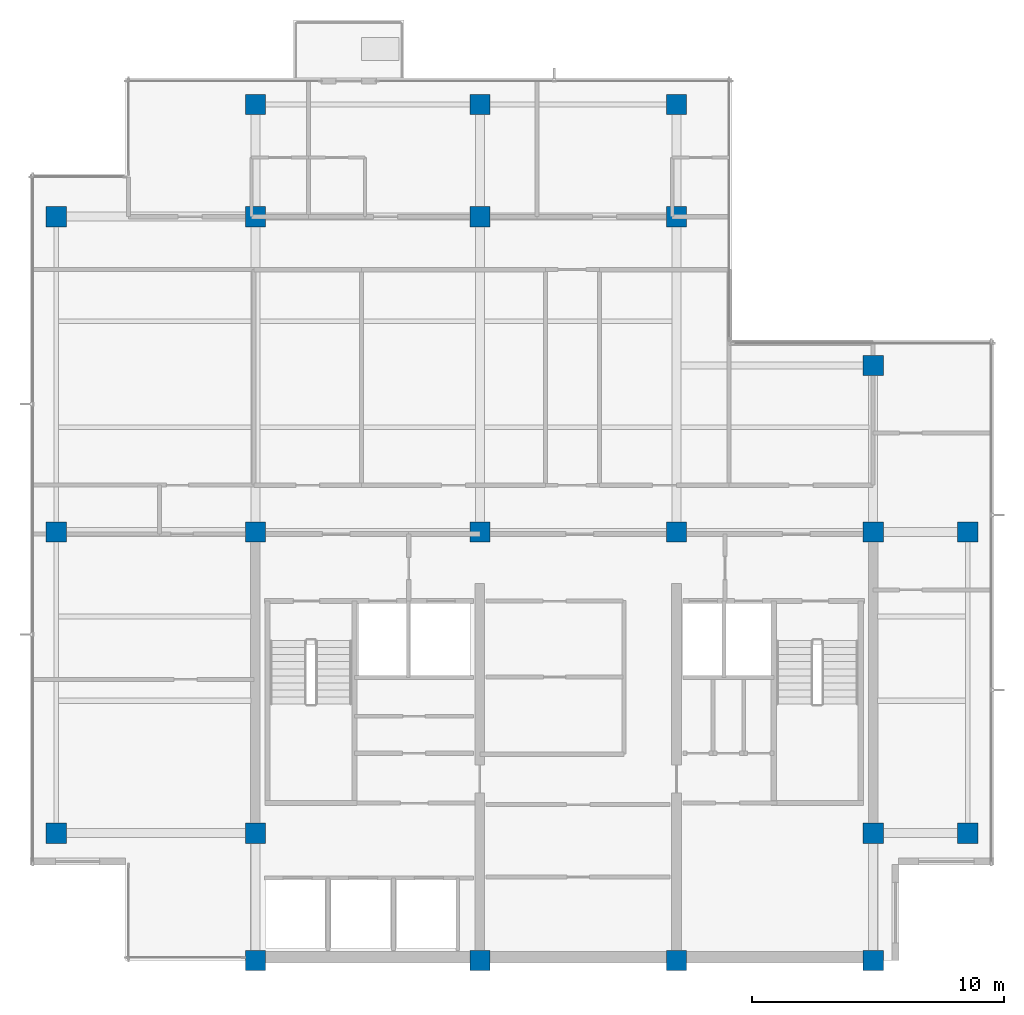
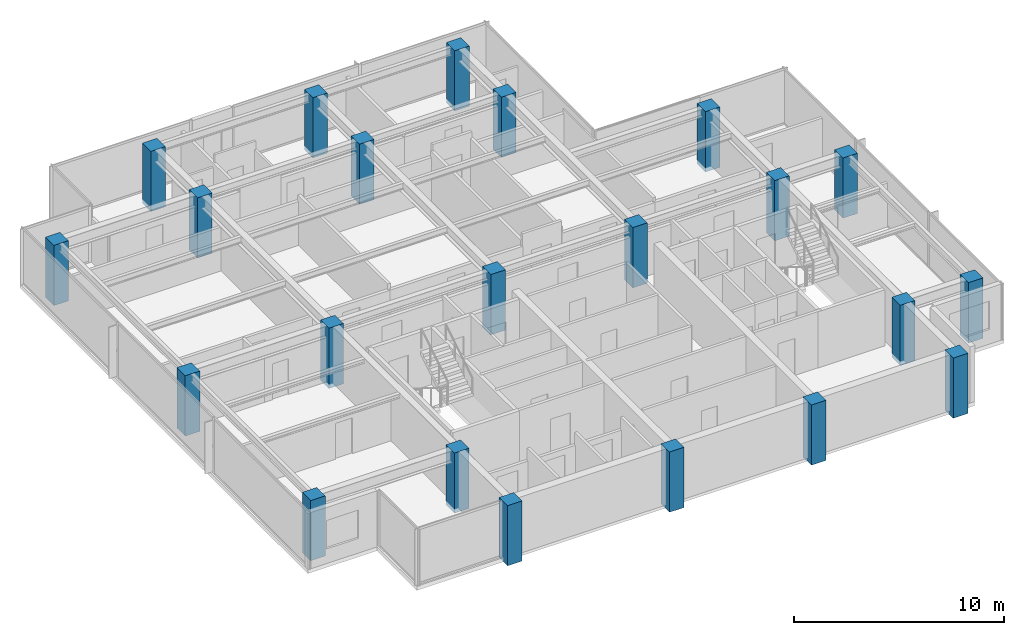
# One storey, part 1 of 11: 22 columns.
"""IFC4 building model written with IfcOpenShell, lengths in metres."""

import ifcopenshell
import ifcopenshell.guid

model = None  # the IFC model being written
_history = None  # IfcOwnerHistory: only IFC2X3 demands one
_inside = {}  # id of a spatial element -> (the spatial element, [elements in it])
_under = {}  # id of a project, library or spatial element -> (it, [spatial elements below it])
_declared = {}  # id of a project -> (the project, [libraries it declares])
_typed = {}  # id of a type object -> (the type object, [elements of that type])
_made_of = {}  # id of a material, layer set ... -> (it, [elements and type objects made of it])


def new_model(schema):
    """Start an empty IFC model of exactly this schema.

    Asked for "IFC4X3", IfcOpenShell would pick the latest addendum, in which some entities
    have other attributes; the version numbers below select the first issue.
    IFC2X3 requires an IfcOwnerHistory on every rooted entity: one is made here for all.
    """
    global model, _history
    if schema == "IFC4X3":
        model = ifcopenshell.file(schema_version=(4, 3, 0, 0))
    else:
        model = ifcopenshell.file(schema=schema)
    _inside.clear()
    _under.clear()
    _declared.clear()
    _typed.clear()
    _made_of.clear()
    _history = None
    if model.schema == "IFC2X3":
        org = make("IfcOrganization", Name="unknown")
        user = make(
            "IfcPersonAndOrganization",
            ThePerson=make("IfcPerson", FamilyName="unknown"),
            TheOrganization=org,
        )
        app = make(
            "IfcApplication",
            ApplicationDeveloper=org,
            Version="unknown",
            ApplicationFullName="unknown",
            ApplicationIdentifier="unknown",
        )
        _history = make(
            "IfcOwnerHistory",
            OwningUser=user,
            OwningApplication=app,
            ChangeAction="ADDED",
            CreationDate=0,
        )
    return model


def make(cls, **values):
    """One entity of the class cls with the attributes given. An attribute that is None is left unset."""
    return model.create_entity(
        cls, **{name: value for name, value in values.items() if value is not None}
    )


def rooted(cls, **values):
    """An entity with a GlobalId (a new one), such as an element, a storey or a relation."""
    return make(cls, GlobalId=ifcopenshell.guid.new(), OwnerHistory=_history, **values)


def si_unit(unit_type, name, prefix=None):
    """IfcSIUnit, for example si_unit("LENGTHUNIT", "METRE", prefix="MILLI")."""
    return make("IfcSIUnit", UnitType=unit_type, Prefix=prefix, Name=name)


def assignment(units):
    """IfcUnitAssignment: the units of a project."""
    return None if units is None else make("IfcUnitAssignment", Units=units)


def point(xyz):
    """IfcCartesianPoint."""
    return None if xyz is None else make("IfcCartesianPoint", Coordinates=xyz)


def direction(xyz):
    """IfcDirection."""
    return None if xyz is None else make("IfcDirection", DirectionRatios=xyz)


def frame(location, z_axis=None, x_axis=None):
    """IfcAxis2Placement3D, a coordinate frame: its origin and axes. An axis left out is left unset."""
    return make(
        "IfcAxis2Placement3D",
        Location=point(location),
        Axis=direction(z_axis),
        RefDirection=direction(x_axis),
    )


def frame_2d(location, x_axis=None):
    """IfcAxis2Placement2D, a coordinate frame in the plane: its origin and x axis."""
    return make(
        "IfcAxis2Placement2D", Location=point(location), RefDirection=direction(x_axis)
    )


def origin():
    """The frame at (0, 0, 0) with its axes left unset."""
    return frame((0.0, 0.0, 0.0))


def origin_2d():
    """The frame at (0, 0) in the plane with its x axis left unset."""
    return frame_2d((0.0, 0.0))


def place(relative_to, where):
    """IfcLocalPlacement: puts the frame where relative to a parent placement (None: the world)."""
    return make(
        "IfcLocalPlacement", PlacementRelTo=relative_to, RelativePlacement=where
    )


def context(
    kind, dimensions, precision=None, world=None, true_north=None, identifier=None
):
    """IfcGeometricRepresentationContext, for example the 3D "Model" context."""
    return make(
        "IfcGeometricRepresentationContext",
        ContextIdentifier=identifier,
        ContextType=kind,
        CoordinateSpaceDimension=dimensions,
        Precision=precision,
        WorldCoordinateSystem=world,
        TrueNorth=true_north,
    )


def subcontext(parent, identifier, kind, view, scale=None):
    """IfcGeometricRepresentationSubContext, for example "Body" below "Model"."""
    return make(
        "IfcGeometricRepresentationSubContext",
        ContextIdentifier=identifier,
        ContextType=kind,
        ParentContext=parent,
        TargetScale=scale,
        TargetView=view,
    )


def project(units=None, contexts=None):
    """IfcProject with its units and contexts."""
    return rooted(
        "IfcProject",
        Name="project",
        RepresentationContexts=contexts,
        UnitsInContext=assignment(units),
    )


def spatial(cls, under=None, at=None, **own):
    """A site, building, storey or space (cls), placed at a placement, below another one or the project."""
    s = rooted(cls, ObjectPlacement=at, **own)
    if under is not None:
        _under.setdefault(under.id(), (under, []))[1].append(s)
    return s


def profile(cls, at=None, kind="AREA", **sizes):
    """A parametric profile (cls). Its sizes go by their IFC names, for example OverallWidth=200.0."""
    return make(cls, ProfileType=kind, Position=at, **sizes)


def rectangle(**sizes):
    """IfcRectangleProfileDef."""
    return profile("IfcRectangleProfileDef", **sizes)


def extrude(swept, where, along, depth):
    """IfcExtrudedAreaSolid: the profile swept, set in the frame where, extruded along a direction by depth."""
    return make(
        "IfcExtrudedAreaSolid",
        SweptArea=swept,
        Position=where,
        ExtrudedDirection=direction(along),
        Depth=depth,
    )


def shape(context_of_items, identifier, shape_type, items):
    """IfcShapeRepresentation: the items that make up one representation, for example the "Body"."""
    return make(
        "IfcShapeRepresentation",
        ContextOfItems=context_of_items,
        RepresentationIdentifier=identifier,
        RepresentationType=shape_type,
        Items=items,
    )


def material(Name=None, Category=None):
    """IfcMaterial."""
    return make("IfcMaterial", Name=Name, Category=Category)


def material_profile(
    of_material, cross_section, Name=None, Category=None, Priority=None
):
    """IfcMaterialProfile: a cross section and its material."""
    return make(
        "IfcMaterialProfile",
        Name=Name,
        Material=of_material,
        Profile=cross_section,
        Priority=Priority,
        Category=Category,
    )


def profile_set(profiles, Name=None, composite=None):
    """IfcMaterialProfileSet."""
    return make(
        "IfcMaterialProfileSet",
        Name=Name,
        MaterialProfiles=profiles,
        CompositeProfile=composite,
    )


def made_of(thing, what):
    """Note that an element or type object is made of a material, layer set ...; save() writes the relation."""
    if what is not None:
        _made_of.setdefault(what.id(), (what, []))[1].append(thing)
    return thing


def type_object(cls, material=None, **own):
    """A type object (cls), such as IfcWallType, which elements share."""
    return made_of(rooted(cls, **own), material)


def element(
    cls,
    number,
    at=None,
    inside=None,
    cuts=None,
    type_object=None,
    material=None,
    context=None,
    identifier="Body",
    shape_type=None,
    held_by="IfcProductDefinitionShape",
    body=None,
    shapes=None,
    **own,
):
    """One element of the class cls, such as IfcWall. Its Tag is "e" and its number.

    at: its placement. inside: the storey or other place that contains it. cuts: it is an
    opening in that element (IfcRelVoidsElement). A single representation is given by context,
    identifier, shape_type and body (its items); several are given by shapes. held_by: the class
    of the entity that holds the representations. save() writes the other relations.
    """
    e = rooted(cls, Tag="e%d" % number, ObjectPlacement=at, **own)
    if body is not None:
        shapes = [shape(context, identifier, shape_type, body)]
    if shapes is not None:
        e.Representation = make(held_by, Representations=shapes)
    if inside is not None:
        _inside.setdefault(inside.id(), (inside, []))[1].append(e)
    if cuts is not None:
        rooted(
            "IfcRelVoidsElement", RelatingBuildingElement=cuts, RelatedOpeningElement=e
        )
    if type_object is not None:
        _typed.setdefault(type_object.id(), (type_object, []))[1].append(e)
    return made_of(e, material)


def aggregate(whole, parts):
    """IfcRelAggregates: a whole, such as a stair, and the parts it consists of."""
    return rooted("IfcRelAggregates", RelatingObject=whole, RelatedObjects=parts)


def save(model, path):
    """Write the relations noted so far, then the file.

    IfcRelAggregates (storeys below a building ...), IfcRelContainedInSpatialStructure (elements
    in a storey), IfcRelDefinesByType, IfcRelAssociatesMaterial and IfcRelDeclares: one each for
    every whole, place, type object, material and project.
    """
    for whole, parts in _under.values():
        aggregate(whole, parts)
    for where, things in _inside.values():
        rooted(
            "IfcRelContainedInSpatialStructure",
            RelatedElements=things,
            RelatingStructure=where,
        )
    for kind, things in _typed.values():
        rooted("IfcRelDefinesByType", RelatedObjects=things, RelatingType=kind)
    for what, things in _made_of.values():
        rooted("IfcRelAssociatesMaterial", RelatedObjects=things, RelatingMaterial=what)
    for by, libraries in _declared.values():
        rooted("IfcRelDeclares", RelatingContext=by, RelatedDefinitions=libraries)
    model.write(path)


model = new_model("IFC4")

# Units and contexts
model_context = context("Model", 3, precision=1e-05, world=origin(), true_north=direction((0.0, 1.0)))
body_context = subcontext(model_context, "Body", "Model", "MODEL_VIEW")
ifc_project = project(units=[si_unit("LENGTHUNIT", "METRE"), si_unit("AREAUNIT", "SQUARE_METRE"), si_unit("VOLUMEUNIT", "CUBIC_METRE"), si_unit("PLANEANGLEUNIT", "RADIAN"), si_unit("MASSUNIT", "GRAM", prefix="KILO")], contexts=[model_context])

# Site, building, storey
site_placement = place(None, origin())
site = spatial("IfcSite", under=ifc_project, at=site_placement, CompositionType="ELEMENT")
building_placement = place(site_placement, origin())
building = spatial("IfcBuilding", under=site, at=building_placement, Name="Qalmaran Belvedere Hotel", CompositionType="ELEMENT")
storey_placement = place(building_placement, frame((0.0, 0.0, 249.39990234375)))
storey = spatial("IfcBuildingStorey", under=building, at=storey_placement, Name="L64", CompositionType="ELEMENT", Elevation=249.39990234375)

# Columns
ifc_material = material(Name="Concrete C50/60", Category="concrete")
ifc_material_profile = material_profile(ifc_material, rectangle(XDim=0.800048828125, YDim=0.800048828125, at=origin_2d()), Name="CC800X800")
ifc_profile_set = profile_set([ifc_material_profile], Name="Concrete C50/60")
column_type = type_object("IfcColumnType", Name="COL-Z5-CC800", PredefinedType="COLUMN", material=ifc_profile_set)
for number, where, z_axis, x_axis, name in (
    (1, (20.300048828125, 3.5, -0.239990234375), (0.0, 0.0, 1.0), (1.0, 0.0, 0.0), "L64 Column C4B"),
    (2, (29.199951171875, 3.5, -0.239990234375), (0.0, 0.0, 1.0), (1.0, 0.0, 0.0), "L64 Column C5B"),
    (3, (37.0, 3.5, -0.239990234375), (0.0, 0.0, 1.0), (1.0, 0.0, 0.0), "L64 Column C6B"),
    (4, (44.800048828125, 3.5, -0.239990234375), (0.0, 0.0, 1.0), (1.0, 0.0, 0.0), "L64 Column C7B"),
    (5, (20.300048828125, 8.550048828125, -0.239990234375), (0.0, 0.0, 1.0), (1.0, 0.0, 0.0), "L64 Column C4C"),
    (6, (44.800048828125, 8.550048828125, -0.239990234375), (0.0, 0.0, 1.0), (1.0, 0.0, 0.0), "L64 Column C7C"),
    (7, (20.300048828125, 20.5, -0.239990234375), (0.0, 0.0, 1.0), (1.0, 0.0, 0.0), "L64 Column C4D"),
    (8, (29.199951171875, 20.5, -0.239990234375), (0.0, 0.0, 1.0), (1.0, 0.0, 0.0), "L64 Column C5D"),
    (9, (37.0, 20.5, -0.239990234375), (0.0, 0.0, 1.0), (1.0, 0.0, 0.0), "L64 Column C6D"),
    (10, (44.800048828125, 20.5, -0.239990234375), (0.0, 0.0, 1.0), (1.0, 0.0, 0.0), "L64 Column C7D"),
    (11, (20.300048828125, 33.0, -0.239990234375), (0.0, 0.0, 1.0), (1.0, 0.0, 0.0), "L64 Column C4F"),
    (12, (29.199951171875, 33.0, -0.239990234375), (0.0, 0.0, 1.0), (1.0, 0.0, 0.0), "L64 Column C5F"),
    (13, (37.0, 33.0, -0.239990234375), (0.0, 0.0, 1.0), (1.0, 0.0, 0.0), "L64 Column C6F"),
    (14, (44.800048828125, 27.10009765625, -0.239990234375), (0.0, 0.0, 1.0), (1.0, 0.0, 0.0), "L64 Column C7E"),
    (15, (12.39990234375, 8.550048828125, -0.239990234375), (0.0, 0.0, 1.0), (1.0, 0.0, 0.0), "L64 Column CW1"),
    (16, (12.39990234375, 20.5, -0.239990234375), (0.0, 0.0, 1.0), (1.0, 0.0, 0.0), "L64 Column CW3"),
    (17, (12.39990234375, 33.0, -0.239990234375), (0.0, 0.0, 1.0), (1.0, 0.0, 0.0), "L64 Column CW4"),
    (18, (48.550048828125, 8.550048828125, -0.239990234375), (0.0, 0.0, 1.0), (1.0, 0.0, 0.0), "L64 Column CE1"),
    (19, (48.550048828125, 20.5, -0.239990234375), (0.0, 0.0, 1.0), (1.0, 0.0, 0.0), "L64 Column CE3"),
    (20, (20.300048828125, 37.449951171875, -0.239990234375), (0.0, 0.0, 1.0), (1.0, 0.0, 0.0), "L64 Column CN1"),
    (21, (29.199951171875, 37.449951171875, -0.239990234375), (0.0, 0.0, 1.0), (1.0, 0.0, 0.0), "L64 Column CN2"),
    (22, (37.0, 37.449951171875, -0.239990234375), (0.0, 0.0, 1.0), (1.0, 0.0, 0.0), "L64 Column CN3"),
):
    element("IfcColumn", number, at=place(storey_placement, frame(where, z_axis=z_axis, x_axis=x_axis)), inside=storey, type_object=column_type, Name=name, PredefinedType="COLUMN", context=body_context, shape_type="SweptSolid", body=[
        extrude(rectangle(XDim=0.800048828125, YDim=0.800048828125, at=origin_2d()), origin(), (0.0, 0.0, 1.0), 3.5),
    ])

save(model, "model.ifc")
